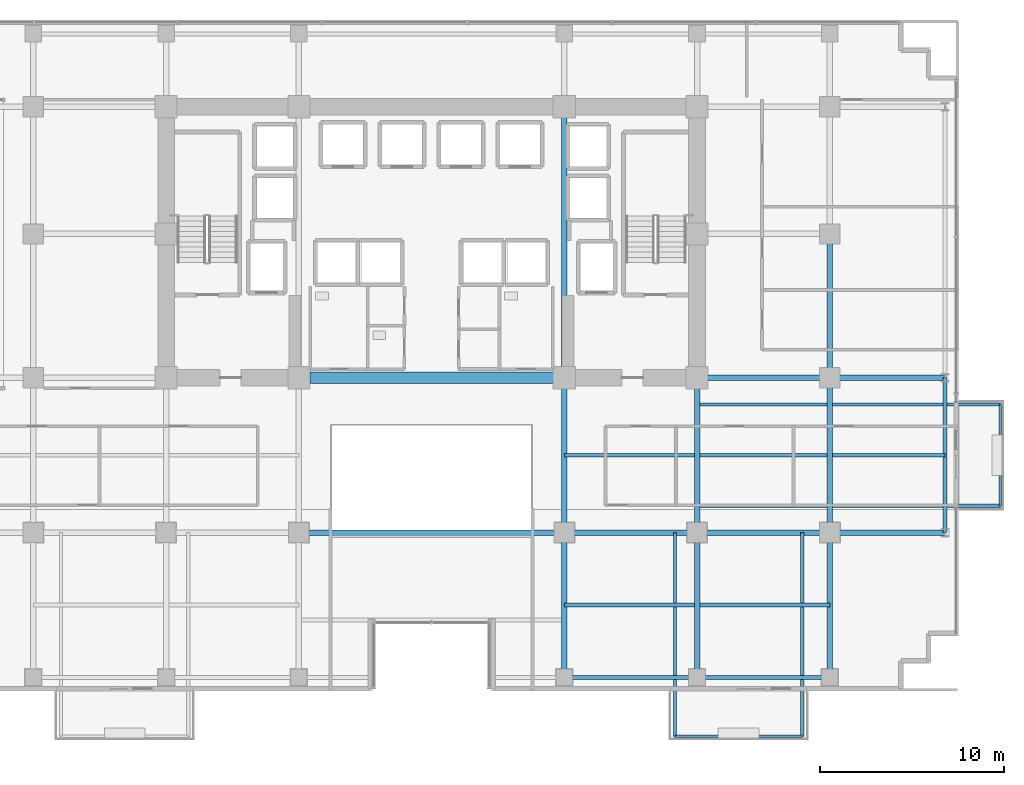
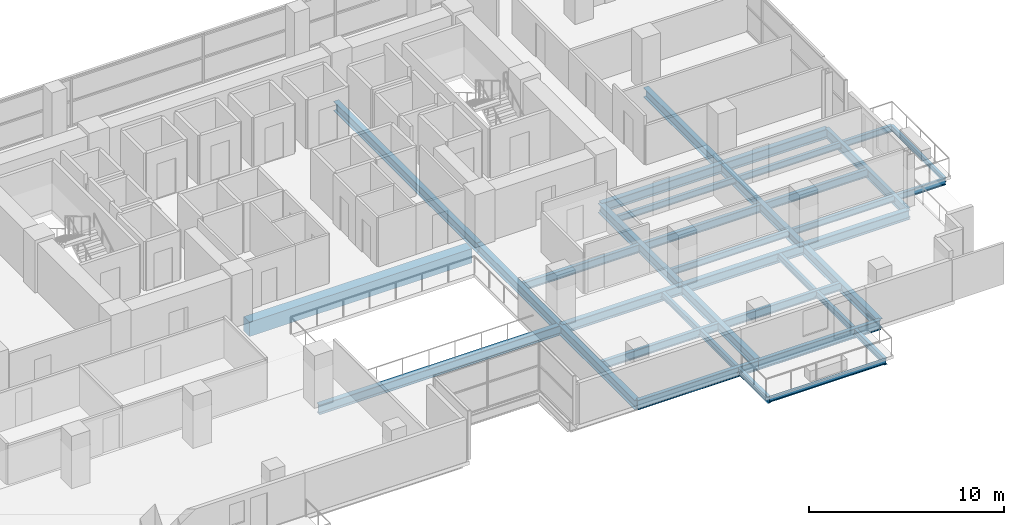
# One storey, part 13 of 30: 29 beams.
"""IFC4 building model written with IfcOpenShell, lengths in metres."""

from ifc_helpers import new_model, si_unit, direction, frame, origin, origin_2d, place, context, subcontext, project, spatial, rectangle, i_section, extrude, material, material_profile, profile_set, type_object, element, save


model = new_model("IFC4")

# Units and contexts
model_context = context("Model", 3, precision=1e-05, world=origin(), true_north=direction((0.0, 1.0)))
body_context = subcontext(model_context, "Body", "Model", "MODEL_VIEW")
ifc_project = project(units=[si_unit("LENGTHUNIT", "METRE"), si_unit("AREAUNIT", "SQUARE_METRE"), si_unit("VOLUMEUNIT", "CUBIC_METRE"), si_unit("PLANEANGLEUNIT", "RADIAN"), si_unit("MASSUNIT", "GRAM", prefix="KILO")], contexts=[model_context])

# Site, building, storey
site_placement = place(None, origin())
site = spatial("IfcSite", under=ifc_project, at=site_placement, CompositionType="ELEMENT")
building_placement = place(site_placement, origin())
building = spatial("IfcBuilding", under=site, at=building_placement, Name="Zarnakvel Exchange Tower", CompositionType="ELEMENT")
storey_placement = place(building_placement, frame((0.0, 0.0, 50.5)))
storey = spatial("IfcBuildingStorey", under=building, at=storey_placement, Name="L13", CompositionType="ELEMENT", Elevation=50.5)

# Beams
ifc_material_1 = material(Name="Steel S355", Category="steel")
ifc_material_profile_1 = material_profile(ifc_material_1, i_section(OverallWidth=0.199951171875, OverallDepth=0.5, WebThickness=0.01025390625, FlangeThickness=0.01611328125, FilletRadius=0.02099609375, at=origin_2d()))
ifc_profile_set_1 = profile_set([ifc_material_profile_1], Name="Steel S355")
beam_type_1 = type_object("IfcBeamType", Name="B-04", PredefinedType="JOIST", material=ifc_profile_set_1)
for number, where, z_axis, x_axis, name in (
    (1, (7.199951171875, -13.52490234375, -0.47509765625), (1.0, 0.0, 0.0), (0.0, 1.0, 0.0), "L13 Composite Floor Secondary Joist"),
    (2, (14.550048828125, -13.52490234375, -0.47509765625), (1.0, 0.0, 0.0), (0.0, 1.0, 0.0), "L13 Composite Floor Secondary Joist"),
    (3, (7.199951171875, -5.39990234375, -0.47509765625), (1.0, 0.0, 0.0), (0.0, 1.0, 0.0), "L13 Composite Floor Secondary Joist"),
):
    element("IfcBeam", number, at=place(storey_placement, frame(where, z_axis=z_axis, x_axis=x_axis)), inside=storey, type_object=beam_type_1, Name=name, PredefinedType="JOIST", context=body_context, shape_type="SweptSolid", body=[
        extrude(i_section(OverallWidth=0.199951171875, OverallDepth=0.5, WebThickness=0.01025390625, FlangeThickness=0.01611328125, FilletRadius=0.02099609375, at=origin_2d()), origin(), (0.0, 0.0, 1.0), 7.050048828125),
    ])
beam_1_placement = place(storey_placement, frame((14.550048828125, -5.39990234375, -0.47509765625), z_axis=(1.0, 0.0, 0.0), x_axis=(0.0, 1.0, 0.0)))
element("IfcBeam", 4, at=beam_1_placement, inside=storey, type_object=beam_type_1, Name="L13 Composite Floor Secondary Joist", PredefinedType="JOIST", context=body_context, shape_type="SweptSolid", body=[
    extrude(i_section(OverallWidth=0.199951171875, OverallDepth=0.5, WebThickness=0.01025390625, FlangeThickness=0.01611328125, FilletRadius=0.02099609375, at=origin_2d()), origin(), (0.0, 0.0, 1.0), 6.89990234375),
])
beam_2_placement = place(storey_placement, frame((21.75, -5.39990234375, -0.47509765625), z_axis=(1.0, 0.0, 0.0), x_axis=(0.0, 1.0, 0.0)))
element("IfcBeam", 5, at=beam_2_placement, inside=storey, type_object=beam_type_1, Name="L13 Composite Floor Secondary Joist", PredefinedType="JOIST", context=body_context, shape_type="SweptSolid", body=[
    extrude(i_section(OverallWidth=0.199951171875, OverallDepth=0.5, WebThickness=0.01025390625, FlangeThickness=0.01611328125, FilletRadius=0.02099609375, at=origin_2d()), origin(), (0.0, 0.0, 1.0), 6.10009765625),
])
ifc_material_profile_2 = material_profile(ifc_material_1, i_section(OverallWidth=0.179931640625, OverallDepth=0.39990234375, WebThickness=0.008544921875, FlangeThickness=0.013427734375, FilletRadius=0.02099609375, at=origin_2d()))
ifc_profile_set_2 = profile_set([ifc_material_profile_2], Name="Steel S355")
beam_type_2 = type_object("IfcBeamType", Name="B-06", PredefinedType="JOIST", material=ifc_profile_set_2)
for number, where, z_axis, x_axis, name in (
    (6, (13.199951171875, -9.60009765625, -0.425048828125), (0.0, -1.0, 0.0), (1.0, 0.0, 0.0), "L13 Continuous Back-Spanned Balcony Beam W"),
    (7, (20.10009765625, -9.60009765625, -0.425048828125), (0.0, -1.0, 0.0), (1.0, 0.0, 0.0), "L13 Continuous Back-Spanned Balcony Beam E"),
):
    element("IfcBeam", number, at=place(storey_placement, frame(where, z_axis=z_axis, x_axis=x_axis)), inside=storey, type_object=beam_type_2, Name=name, PredefinedType="JOIST", context=body_context, shape_type="SweptSolid", body=[
        extrude(i_section(OverallWidth=0.179931640625, OverallDepth=0.39990234375, WebThickness=0.008544921875, FlangeThickness=0.013427734375, FilletRadius=0.02099609375, at=origin_2d()), origin(), (0.0, 0.0, 1.0), 11.0498046875),
    ])
for number, where, z_axis, x_axis, name in (
    (8, (14.39990234375, -8.14990234375, -0.425048828125), (1.0, 0.0, 0.0), (0.0, 1.0, 0.0), "L13 Continuous East Loggia Beam S"),
    (9, (14.39990234375, -2.64990234375, -0.425048828125), (1.0, 0.0, 0.0), (0.0, 1.0, 0.0), "L13 Continuous East Loggia Beam N"),
):
    element("IfcBeam", number, at=place(storey_placement, frame(where, z_axis=z_axis, x_axis=x_axis)), inside=storey, type_object=beam_type_2, Name=name, PredefinedType="JOIST", context=body_context, shape_type="SweptSolid", body=[
        extrude(i_section(OverallWidth=0.179931640625, OverallDepth=0.39990234375, WebThickness=0.008544921875, FlangeThickness=0.013427734375, FilletRadius=0.02099609375, at=origin_2d()), origin(), (0.0, 0.0, 1.0), 16.4501953125),
    ])
ifc_material_profile_3 = material_profile(ifc_material_1, i_section(OverallWidth=0.14990234375, OverallDepth=0.300048828125, WebThickness=0.007080078125, FlangeThickness=0.0107421875, FilletRadius=0.014892578125, at=origin_2d()))
ifc_profile_set_3 = profile_set([ifc_material_profile_3], Name="Steel S355")
beam_type_3 = type_object("IfcBeamType", Name="B-08", PredefinedType="JOIST", material=ifc_profile_set_3)
beam_3_placement = place(storey_placement, frame((13.199951171875, -20.64990234375, -0.375), z_axis=(1.0, 0.0, 0.0), x_axis=(0.0, 1.0, 0.0)))
element("IfcBeam", 10, at=beam_3_placement, inside=storey, type_object=beam_type_3, Name="L13 Balcony Edge Beam", PredefinedType="JOIST", context=body_context, shape_type="SweptSolid", body=[
    extrude(i_section(OverallWidth=0.14990234375, OverallDepth=0.300048828125, WebThickness=0.007080078125, FlangeThickness=0.0107421875, FilletRadius=0.014892578125, at=origin_2d()), origin(), (0.0, 0.0, 1.0), 6.900146484375),
])
beam_4_placement = place(storey_placement, frame((30.85009765625, -8.14990234375, -0.375), z_axis=(0.0, 1.0, 0.0), x_axis=(-1.0, 0.0, 0.0)))
element("IfcBeam", 11, at=beam_4_placement, inside=storey, type_object=beam_type_3, Name="L13 East Loggia Edge Beam", PredefinedType="JOIST", context=body_context, shape_type="SweptSolid", body=[
    extrude(i_section(OverallWidth=0.14990234375, OverallDepth=0.300048828125, WebThickness=0.007080078125, FlangeThickness=0.0107421875, FilletRadius=0.014892578125, at=origin_2d()), origin(), (0.0, 0.0, 1.0), 5.5),
])
ifc_material_2 = material(Name="Concrete C80/95", Category="concrete")
ifc_material_profile_4 = material_profile(ifc_material_2, rectangle(XDim=0.60009765625, YDim=0.89990234375, at=origin_2d()))
ifc_profile_set_4 = profile_set([ifc_material_profile_4], Name="Concrete C80/95")
beam_type_4 = type_object("IfcBeamType", Name="CB-01", PredefinedType="LINTEL", material=ifc_profile_set_4)
beam_5_placement = place(storey_placement, frame((-6.60009765625, -1.199951171875, -0.675048828125), z_axis=(1.0, 0.0, 0.0), x_axis=(0.0, 1.0, 0.0)))
element("IfcBeam", 12, at=beam_5_placement, inside=storey, type_object=beam_type_4, Name="L13 Rear Core South Coupling Beam (CB-01)", PredefinedType="LINTEL", context=body_context, shape_type="SweptSolid", body=[
    extrude(rectangle(XDim=0.60009765625, YDim=0.89990234375, at=origin_2d()), origin(), (0.0, 0.0, 1.0), 13.2001953125),
])
ifc_material_profile_5 = material_profile(ifc_material_1, i_section(OverallWidth=0.300048828125, OverallDepth=0.60009765625, WebThickness=0.015380859375, FlangeThickness=0.030029296875, FilletRadius=0.027099609375, at=origin_2d()))
ifc_profile_set_5 = profile_set([ifc_material_profile_5], Name="Steel S355")
beam_type_5 = type_object("IfcBeamType", Name="G-04", PredefinedType="BEAM", material=ifc_profile_set_5)
beam_6_placement = place(storey_placement, frame((-7.199951171875, -9.60009765625, -0.52490234375), z_axis=(1.0, 0.0, 0.0), x_axis=(0.0, 1.0, 0.0)))
element("IfcBeam", 13, at=beam_6_placement, inside=storey, type_object=beam_type_5, Name="L13 Tower E-W Frame Beam", PredefinedType="BEAM", context=body_context, shape_type="SweptSolid", body=[
    extrude(i_section(OverallWidth=0.300048828125, OverallDepth=0.60009765625, WebThickness=0.015380859375, FlangeThickness=0.030029296875, FilletRadius=0.027099609375, at=origin_2d()), origin(), (0.0, 0.0, 1.0), 14.39990234375),
])
beam_7_placement = place(storey_placement, frame((7.199951171875, -9.60009765625, -0.52490234375), z_axis=(1.0, 0.0, 0.0), x_axis=(0.0, 1.0, 0.0)))
element("IfcBeam", 14, at=beam_7_placement, inside=storey, type_object=beam_type_5, Name="L13 Tower E-W Frame Beam", PredefinedType="BEAM", context=body_context, shape_type="SweptSolid", body=[
    extrude(i_section(OverallWidth=0.300048828125, OverallDepth=0.60009765625, WebThickness=0.015380859375, FlangeThickness=0.030029296875, FilletRadius=0.027099609375, at=origin_2d()), origin(), (0.0, 0.0, 1.0), 7.199951171875),
])
beam_8_placement = place(storey_placement, frame((14.39990234375, -9.60009765625, -0.52490234375), z_axis=(1.0, 0.0, 0.0), x_axis=(0.0, 1.0, 0.0)))
element("IfcBeam", 15, at=beam_8_placement, inside=storey, type_object=beam_type_5, Name="L13 Tower E-W Frame Beam", PredefinedType="BEAM", context=body_context, shape_type="SweptSolid", body=[
    extrude(i_section(OverallWidth=0.300048828125, OverallDepth=0.60009765625, WebThickness=0.015380859375, FlangeThickness=0.030029296875, FilletRadius=0.027099609375, at=origin_2d()), origin(), (0.0, 0.0, 1.0), 7.2001953125),
])
beam_9_placement = place(storey_placement, frame((21.60009765625, -9.60009765625, -0.52490234375), z_axis=(1.0, 0.0, 0.0), x_axis=(0.0, 1.0, 0.0)))
element("IfcBeam", 16, at=beam_9_placement, inside=storey, type_object=beam_type_5, Name="L13 Tower E-W Frame Beam", PredefinedType="BEAM", context=body_context, shape_type="SweptSolid", body=[
    extrude(i_section(OverallWidth=0.300048828125, OverallDepth=0.60009765625, WebThickness=0.015380859375, FlangeThickness=0.030029296875, FilletRadius=0.027099609375, at=origin_2d()), origin(), (0.0, 0.0, 1.0), 6.25),
])
beam_10_placement = place(storey_placement, frame((14.39990234375, -1.199951171875, -0.52490234375), z_axis=(1.0, 0.0, 0.0), x_axis=(0.0, 1.0, 0.0)))
element("IfcBeam", 17, at=beam_10_placement, inside=storey, type_object=beam_type_5, Name="L13 Tower E-W Frame Beam", PredefinedType="BEAM", context=body_context, shape_type="SweptSolid", body=[
    extrude(i_section(OverallWidth=0.300048828125, OverallDepth=0.60009765625, WebThickness=0.015380859375, FlangeThickness=0.030029296875, FilletRadius=0.027099609375, at=origin_2d()), origin(), (0.0, 0.0, 1.0), 7.2001953125),
])
beam_11_placement = place(storey_placement, frame((21.60009765625, -1.199951171875, -0.52490234375), z_axis=(1.0, 0.0, 0.0), x_axis=(0.0, 1.0, 0.0)))
element("IfcBeam", 18, at=beam_11_placement, inside=storey, type_object=beam_type_5, Name="L13 Tower E-W Frame Beam", PredefinedType="BEAM", context=body_context, shape_type="SweptSolid", body=[
    extrude(i_section(OverallWidth=0.300048828125, OverallDepth=0.60009765625, WebThickness=0.015380859375, FlangeThickness=0.030029296875, FilletRadius=0.027099609375, at=origin_2d()), origin(), (0.0, 0.0, 1.0), 6.25),
])
beam_12_placement = place(storey_placement, frame((7.199951171875, -17.449951171875, -0.52490234375), z_axis=(0.0, 1.0, 0.0), x_axis=(-1.0, 0.0, 0.0)))
element("IfcBeam", 19, at=beam_12_placement, inside=storey, type_object=beam_type_5, Name="L13 Tower N-S Frame Beam", PredefinedType="BEAM", context=body_context, shape_type="SweptSolid", body=[
    extrude(i_section(OverallWidth=0.300048828125, OverallDepth=0.60009765625, WebThickness=0.015380859375, FlangeThickness=0.030029296875, FilletRadius=0.027099609375, at=origin_2d()), origin(), (0.0, 0.0, 1.0), 7.849853515625),
])
beam_13_placement = place(storey_placement, frame((7.199951171875, -9.60009765625, -0.52490234375), z_axis=(0.0, 1.0, 0.0), x_axis=(-1.0, 0.0, 0.0)))
element("IfcBeam", 20, at=beam_13_placement, inside=storey, type_object=beam_type_5, Name="L13 Tower N-S Frame Beam", PredefinedType="BEAM", context=body_context, shape_type="SweptSolid", body=[
    extrude(i_section(OverallWidth=0.300048828125, OverallDepth=0.60009765625, WebThickness=0.015380859375, FlangeThickness=0.030029296875, FilletRadius=0.027099609375, at=origin_2d()), origin(), (0.0, 0.0, 1.0), 8.400146484375),
])
beam_14_placement = place(storey_placement, frame((7.199951171875, -1.199951171875, -0.52490234375), z_axis=(0.0, 1.0, 0.0), x_axis=(-1.0, 0.0, 0.0)))
element("IfcBeam", 21, at=beam_14_placement, inside=storey, type_object=beam_type_5, Name="L13 Tower N-S Frame Beam", PredefinedType="BEAM", context=body_context, shape_type="SweptSolid", body=[
    extrude(i_section(OverallWidth=0.300048828125, OverallDepth=0.60009765625, WebThickness=0.015380859375, FlangeThickness=0.030029296875, FilletRadius=0.027099609375, at=origin_2d()), origin(), (0.0, 0.0, 1.0), 14.699951171875),
])
beam_15_placement = place(storey_placement, frame((14.39990234375, -17.449951171875, -0.52490234375), z_axis=(0.0, 1.0, 0.0), x_axis=(-1.0, 0.0, 0.0)))
element("IfcBeam", 22, at=beam_15_placement, inside=storey, type_object=beam_type_5, Name="L13 Tower N-S Frame Beam", PredefinedType="BEAM", context=body_context, shape_type="SweptSolid", body=[
    extrude(i_section(OverallWidth=0.300048828125, OverallDepth=0.60009765625, WebThickness=0.015380859375, FlangeThickness=0.030029296875, FilletRadius=0.027099609375, at=origin_2d()), origin(), (0.0, 0.0, 1.0), 7.849853515625),
])
beam_16_placement = place(storey_placement, frame((14.39990234375, -9.60009765625, -0.52490234375), z_axis=(0.0, 1.0, 0.0), x_axis=(-1.0, 0.0, 0.0)))
element("IfcBeam", 23, at=beam_16_placement, inside=storey, type_object=beam_type_5, Name="L13 Tower N-S Frame Beam", PredefinedType="BEAM", context=body_context, shape_type="SweptSolid", body=[
    extrude(i_section(OverallWidth=0.300048828125, OverallDepth=0.60009765625, WebThickness=0.015380859375, FlangeThickness=0.030029296875, FilletRadius=0.027099609375, at=origin_2d()), origin(), (0.0, 0.0, 1.0), 8.400146484375),
])
beam_17_placement = place(storey_placement, frame((21.60009765625, -17.449951171875, -0.52490234375), z_axis=(0.0, 1.0, 0.0), x_axis=(-1.0, 0.0, 0.0)))
element("IfcBeam", 24, at=beam_17_placement, inside=storey, type_object=beam_type_5, Name="L13 Tower N-S Frame Beam", PredefinedType="BEAM", context=body_context, shape_type="SweptSolid", body=[
    extrude(i_section(OverallWidth=0.300048828125, OverallDepth=0.60009765625, WebThickness=0.015380859375, FlangeThickness=0.030029296875, FilletRadius=0.027099609375, at=origin_2d()), origin(), (0.0, 0.0, 1.0), 7.849853515625),
])
beam_18_placement = place(storey_placement, frame((21.60009765625, -9.60009765625, -0.52490234375), z_axis=(0.0, 1.0, 0.0), x_axis=(-1.0, 0.0, 0.0)))
element("IfcBeam", 25, at=beam_18_placement, inside=storey, type_object=beam_type_5, Name="L13 Tower N-S Frame Beam", PredefinedType="BEAM", context=body_context, shape_type="SweptSolid", body=[
    extrude(i_section(OverallWidth=0.300048828125, OverallDepth=0.60009765625, WebThickness=0.015380859375, FlangeThickness=0.030029296875, FilletRadius=0.027099609375, at=origin_2d()), origin(), (0.0, 0.0, 1.0), 8.400146484375),
])
beam_19_placement = place(storey_placement, frame((21.60009765625, -1.199951171875, -0.52490234375), z_axis=(0.0, 1.0, 0.0), x_axis=(-1.0, 0.0, 0.0)))
element("IfcBeam", 26, at=beam_19_placement, inside=storey, type_object=beam_type_5, Name="L13 Tower N-S Frame Beam", PredefinedType="BEAM", context=body_context, shape_type="SweptSolid", body=[
    extrude(i_section(OverallWidth=0.300048828125, OverallDepth=0.60009765625, WebThickness=0.015380859375, FlangeThickness=0.030029296875, FilletRadius=0.027099609375, at=origin_2d()), origin(), (0.0, 0.0, 1.0), 7.800048828125),
])
ifc_material_profile_6 = material_profile(ifc_material_1, i_section(OverallWidth=0.219970703125, OverallDepth=0.60009765625, WebThickness=0.011962890625, FlangeThickness=0.01904296875, FilletRadius=0.02392578125, at=origin_2d()))
ifc_profile_set_6 = profile_set([ifc_material_profile_6], Name="Steel S355")
beam_type_6 = type_object("IfcBeamType", Name="SP-01", PredefinedType="SPANDREL", material=ifc_profile_set_6)
beam_20_placement = place(storey_placement, frame((7.199951171875, -17.449951171875, -0.52490234375), z_axis=(1.0, 0.0, 0.0), x_axis=(0.0, 1.0, 0.0)))
element("IfcBeam", 27, at=beam_20_placement, inside=storey, type_object=beam_type_6, Name="L13 Tower E-W Frame Beam", PredefinedType="SPANDREL", context=body_context, shape_type="SweptSolid", body=[
    extrude(i_section(OverallWidth=0.219970703125, OverallDepth=0.60009765625, WebThickness=0.011962890625, FlangeThickness=0.01904296875, FilletRadius=0.02392578125, at=origin_2d()), origin(), (0.0, 0.0, 1.0), 7.199951171875),
])
beam_21_placement = place(storey_placement, frame((14.39990234375, -17.449951171875, -0.52490234375), z_axis=(1.0, 0.0, 0.0), x_axis=(0.0, 1.0, 0.0)))
element("IfcBeam", 28, at=beam_21_placement, inside=storey, type_object=beam_type_6, Name="L13 Tower E-W Frame Beam", PredefinedType="SPANDREL", context=body_context, shape_type="SweptSolid", body=[
    extrude(i_section(OverallWidth=0.219970703125, OverallDepth=0.60009765625, WebThickness=0.011962890625, FlangeThickness=0.01904296875, FilletRadius=0.02392578125, at=origin_2d()), origin(), (0.0, 0.0, 1.0), 7.2001953125),
])
beam_22_placement = place(storey_placement, frame((27.85009765625, -9.60009765625, -0.52490234375), z_axis=(0.0, 1.0, 0.0), x_axis=(-1.0, 0.0, 0.0)))
element("IfcBeam", 29, at=beam_22_placement, inside=storey, type_object=beam_type_6, Name="L13 Tower N-S Frame Beam", PredefinedType="SPANDREL", context=body_context, shape_type="SweptSolid", body=[
    extrude(i_section(OverallWidth=0.219970703125, OverallDepth=0.60009765625, WebThickness=0.011962890625, FlangeThickness=0.01904296875, FilletRadius=0.02392578125, at=origin_2d()), origin(), (0.0, 0.0, 1.0), 8.400146484375),
])

save(model, "model.ifc")
